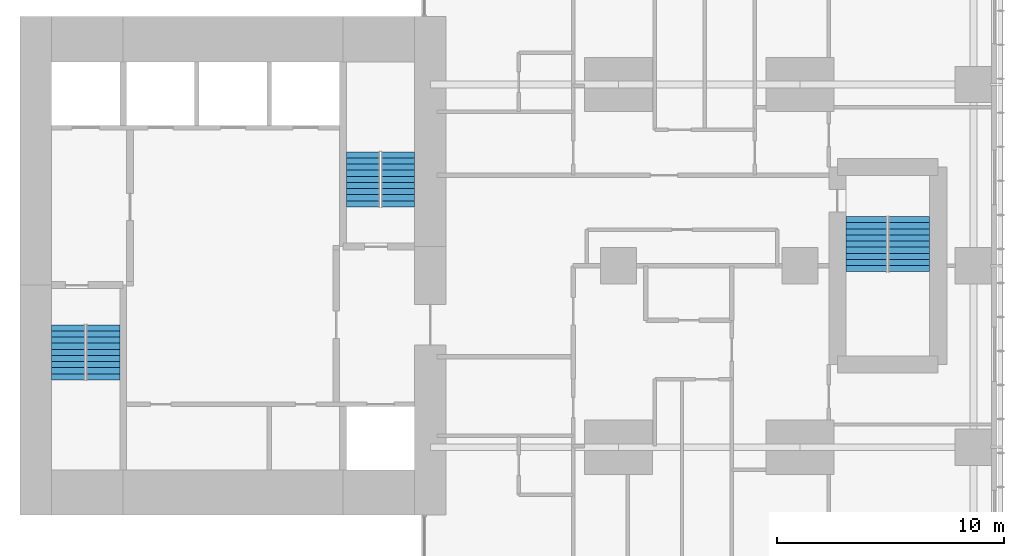
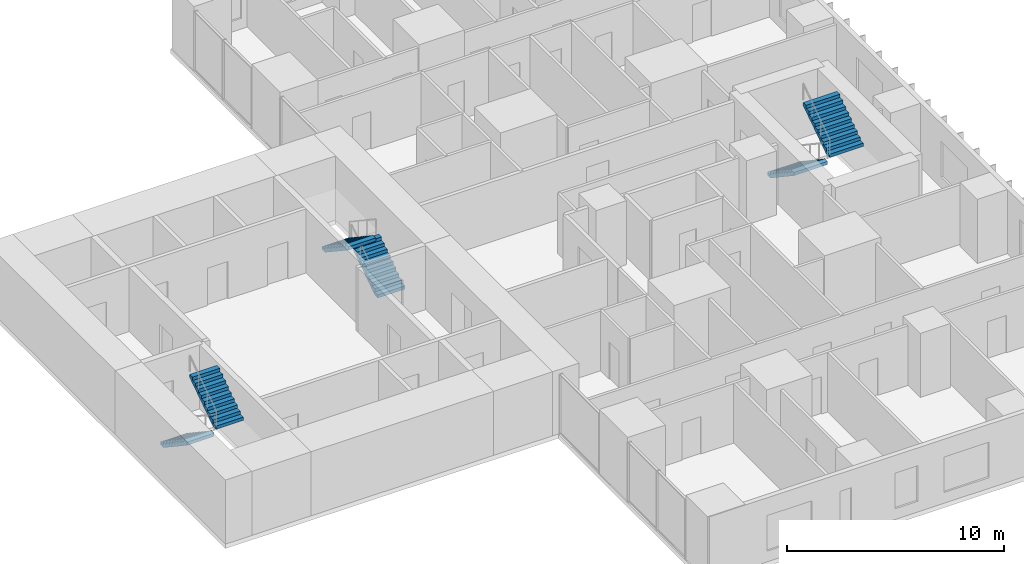
# One storey, part 11 of 12: 6 stair flights, 3 elements without a shape of their own.
"""IFC4 building model written with IfcOpenShell, lengths in metres."""

from ifc_helpers import new_model, si_unit, direction, frame, origin, place, context, subcontext, project, spatial, polyline, outline, extrude, material, type_object, element, aggregate, save


model = new_model("IFC4")

# Units and contexts
model_context = context("Model", 3, precision=1e-05, world=origin(), true_north=direction((0.0, 1.0)))
body_context = subcontext(model_context, "Body", "Model", "MODEL_VIEW")
ifc_project = project(units=[si_unit("LENGTHUNIT", "METRE"), si_unit("AREAUNIT", "SQUARE_METRE"), si_unit("VOLUMEUNIT", "CUBIC_METRE"), si_unit("PLANEANGLEUNIT", "RADIAN"), si_unit("MASSUNIT", "GRAM", prefix="KILO")], contexts=[model_context])

# Site, building, storey
site_placement = place(None, origin())
site = spatial("IfcSite", under=ifc_project, at=site_placement, CompositionType="ELEMENT")
building_placement = place(site_placement, origin())
building = spatial("IfcBuilding", under=site, at=building_placement, Name="Cleftline Residences", CompositionType="ELEMENT")
storey_placement = place(building_placement, frame((0.0, 0.0, 241.199951171875)))
storey = spatial("IfcBuildingStorey", under=building, at=storey_placement, Name="L63", CompositionType="ELEMENT", Elevation=241.199951171875)

# Stair, stair flights
ifc_material_1 = material(Name="Concrete B45, stone treads", Category="masonry")
stair_type_1 = type_object("IfcStairType", Name="STAIR A 1450 WIDE 180 RISER", PredefinedType="HALF_TURN_STAIR", material=ifc_material_1)
stair_1_placement = place(storey_placement, origin())
stair_1 = element("IfcStair", 1, at=stair_1_placement, inside=storey, type_object=stair_type_1, Name="Stair A L63", PredefinedType="HALF_TURN_STAIR")
ifc_material_2 = material(Name="Concrete B45", Category="concrete")
stair_flight_type_1 = type_object("IfcStairFlightType", Name="STAIR A FLIGHT 1450X180", PredefinedType="STRAIGHT", material=ifc_material_2)
stair_flight_1_placement = place(storey_placement, frame((25.72509765625, 21.39990234375, 0.0), z_axis=(0.0, 0.0, 1.0), x_axis=(0.0, -1.0, 0.0)))
stair_flight_1 = element("IfcStairFlight", 2, at=stair_flight_1_placement, type_object=stair_flight_type_1, Name="ST-A flight 1", NumberOfRisers=10, NumberOfTreads=9, PredefinedType="STRAIGHT", RiserHeight=0.18, TreadLength=0.27, context=body_context, shape_type="SweptSolid", body=[
    extrude(outline(polyline([(0.0, 0.0), (0.0, 0.013916015625), (0.0, 0.027587890625), (0.0, 0.04150390625), (0.0, 0.055419921875), (0.0, 0.0693359375), (0.0, 0.0830078125), (0.0, 0.096923828125), (0.0, 0.11083984375), (0.0, 0.12451171875), (0.0, 0.138427734375), (0.0, 0.15234375), (0.0, 0.166259765625), (0.0, 0.179931640625), (0.27001953125, 0.179931640625), (0.27001953125, 0.360107421875), (0.5400390625, 0.360107421875), (0.5400390625, 0.5400390625), (0.81005859375, 0.5400390625), (0.81005859375, 0.719970703125), (1.080078125, 0.719970703125), (1.080078125, 0.89990234375), (1.35009765625, 0.89990234375), (1.35009765625, 1.080078125), (1.6201171875, 1.080078125), (1.6201171875, 1.260009765625), (1.889892578125, 1.260009765625), (1.889892578125, 1.43994140625), (2.159912109375, 1.43994140625), (2.159912109375, 1.6201171875), (2.429931640625, 1.6201171875), (2.429931640625, 1.800048828125), (2.429931640625, 1.772216796875), (2.429931640625, 1.74462890625), (2.429931640625, 1.716796875), (2.429931640625, 1.689208984375), (2.429931640625, 1.661376953125), (2.429931640625, 1.6337890625), (2.429931640625, 1.60595703125), (2.429931640625, 1.578369140625), (2.429931640625, 1.550537109375), (2.429931640625, 1.52294921875), (2.429931640625, 1.495361328125), (2.429931640625, 1.467529296875), (2.429931640625, 1.43994140625), (0.270263671875, 0.0), (0.0, 0.0)])), frame((0.0, 0.72509765625, 0.0), z_axis=(0.0, -1.0, 0.0), x_axis=(1.0, 0.0, 0.0)), (0.0, 0.0, 1.0), 1.449951171875),
])
stair_flight_2_placement = place(storey_placement, frame((27.27490234375, 18.969970703125, 1.800048828125), z_axis=(0.0, 0.0, 1.0), x_axis=(0.0, 1.0, 0.0)))
stair_flight_2 = element("IfcStairFlight", 3, at=stair_flight_2_placement, type_object=stair_flight_type_1, Name="ST-A flight 2", NumberOfRisers=10, NumberOfTreads=9, PredefinedType="STRAIGHT", RiserHeight=0.18, TreadLength=0.27, context=body_context, shape_type="SweptSolid", body=[
    extrude(outline(polyline([(0.0, 0.0), (0.0, 0.013916015625), (0.0, 0.027587890625), (0.0, 0.04150390625), (0.0, 0.055419921875), (0.0, 0.0693359375), (0.0, 0.0830078125), (0.0, 0.096923828125), (0.0, 0.11083984375), (0.0, 0.12451171875), (0.0, 0.138427734375), (0.0, 0.15234375), (0.0, 0.166259765625), (0.0, 0.179931640625), (0.27001953125, 0.179931640625), (0.27001953125, 0.360107421875), (0.5400390625, 0.360107421875), (0.5400390625, 0.5400390625), (0.81005859375, 0.5400390625), (0.81005859375, 0.719970703125), (1.080078125, 0.719970703125), (1.080078125, 0.89990234375), (1.35009765625, 0.89990234375), (1.35009765625, 1.080078125), (1.6201171875, 1.080078125), (1.6201171875, 1.260009765625), (1.889892578125, 1.260009765625), (1.889892578125, 1.43994140625), (2.159912109375, 1.43994140625), (2.159912109375, 1.6201171875), (2.429931640625, 1.6201171875), (2.429931640625, 1.800048828125), (2.429931640625, 1.772216796875), (2.429931640625, 1.74462890625), (2.429931640625, 1.716796875), (2.429931640625, 1.689208984375), (2.429931640625, 1.661376953125), (2.429931640625, 1.6337890625), (2.429931640625, 1.60595703125), (2.429931640625, 1.578369140625), (2.429931640625, 1.550537109375), (2.429931640625, 1.52294921875), (2.429931640625, 1.495361328125), (2.429931640625, 1.467529296875), (2.429931640625, 1.43994140625), (0.270263671875, 0.0), (0.0, 0.0)])), frame((0.0, 0.72509765625, 0.0), z_axis=(0.0, -1.0, 0.0), x_axis=(1.0, 0.0, 0.0)), (0.0, 0.0, 1.0), 1.449951171875),
])
aggregate(stair_1, [stair_flight_1, stair_flight_2])

ifc_material_3 = material(Name="Concrete B45, stone treads", Category="masonry")
stair_type_2 = type_object("IfcStairType", Name="STAIR B 1450 WIDE 180 RISER", PredefinedType="HALF_TURN_STAIR", material=ifc_material_3)
stair_2_placement = place(storey_placement, origin())
stair_2 = element("IfcStair", 4, at=stair_2_placement, inside=storey, type_object=stair_type_2, Name="Stair B L63", PredefinedType="HALF_TURN_STAIR")
ifc_material_4 = material(Name="Concrete B45", Category="concrete")
stair_flight_type_2 = type_object("IfcStairFlightType", Name="STAIR B FLIGHT 1450X180", PredefinedType="STRAIGHT", material=ifc_material_4)
stair_flight_3_placement = place(storey_placement, frame((40.27490234375, 26.60009765625, 0.0), z_axis=(0.0, 0.0, 1.0), x_axis=(0.0, 1.0, 0.0)))
stair_flight_3 = element("IfcStairFlight", 5, at=stair_flight_3_placement, type_object=stair_flight_type_2, Name="ST-B flight 1", NumberOfRisers=10, NumberOfTreads=9, PredefinedType="STRAIGHT", RiserHeight=0.18, TreadLength=0.27, context=body_context, shape_type="SweptSolid", body=[
    extrude(outline(polyline([(0.0, 0.0), (0.0, 0.013916015625), (0.0, 0.027587890625), (0.0, 0.04150390625), (0.0, 0.055419921875), (0.0, 0.0693359375), (0.0, 0.0830078125), (0.0, 0.096923828125), (0.0, 0.11083984375), (0.0, 0.12451171875), (0.0, 0.138427734375), (0.0, 0.15234375), (0.0, 0.166259765625), (0.0, 0.179931640625), (0.27001953125, 0.179931640625), (0.27001953125, 0.360107421875), (0.5400390625, 0.360107421875), (0.5400390625, 0.5400390625), (0.81005859375, 0.5400390625), (0.81005859375, 0.719970703125), (1.080078125, 0.719970703125), (1.080078125, 0.89990234375), (1.35009765625, 0.89990234375), (1.35009765625, 1.080078125), (1.6201171875, 1.080078125), (1.6201171875, 1.260009765625), (1.889892578125, 1.260009765625), (1.889892578125, 1.43994140625), (2.159912109375, 1.43994140625), (2.159912109375, 1.6201171875), (2.429931640625, 1.6201171875), (2.429931640625, 1.800048828125), (2.429931640625, 1.772216796875), (2.429931640625, 1.74462890625), (2.429931640625, 1.716796875), (2.429931640625, 1.689208984375), (2.429931640625, 1.661376953125), (2.429931640625, 1.6337890625), (2.429931640625, 1.60595703125), (2.429931640625, 1.578369140625), (2.429931640625, 1.550537109375), (2.429931640625, 1.52294921875), (2.429931640625, 1.495361328125), (2.429931640625, 1.467529296875), (2.429931640625, 1.43994140625), (0.270263671875, 0.0), (0.0, 0.0)])), frame((0.0, 0.72509765625, 0.0), z_axis=(0.0, -1.0, 0.0), x_axis=(1.0, 0.0, 0.0)), (0.0, 0.0, 1.0), 1.449951171875),
])
stair_flight_4_placement = place(storey_placement, frame((38.72509765625, 29.030029296875, 1.800048828125), z_axis=(0.0, 0.0, 1.0), x_axis=(0.0, -1.0, 0.0)))
stair_flight_4 = element("IfcStairFlight", 6, at=stair_flight_4_placement, type_object=stair_flight_type_2, Name="ST-B flight 2", NumberOfRisers=10, NumberOfTreads=9, PredefinedType="STRAIGHT", RiserHeight=0.18, TreadLength=0.27, context=body_context, shape_type="SweptSolid", body=[
    extrude(outline(polyline([(0.0, 0.0), (0.0, 0.013916015625), (0.0, 0.027587890625), (0.0, 0.04150390625), (0.0, 0.055419921875), (0.0, 0.0693359375), (0.0, 0.0830078125), (0.0, 0.096923828125), (0.0, 0.11083984375), (0.0, 0.12451171875), (0.0, 0.138427734375), (0.0, 0.15234375), (0.0, 0.166259765625), (0.0, 0.179931640625), (0.27001953125, 0.179931640625), (0.27001953125, 0.360107421875), (0.5400390625, 0.360107421875), (0.5400390625, 0.5400390625), (0.81005859375, 0.5400390625), (0.81005859375, 0.719970703125), (1.080078125, 0.719970703125), (1.080078125, 0.89990234375), (1.35009765625, 0.89990234375), (1.35009765625, 1.080078125), (1.6201171875, 1.080078125), (1.6201171875, 1.260009765625), (1.889892578125, 1.260009765625), (1.889892578125, 1.43994140625), (2.159912109375, 1.43994140625), (2.159912109375, 1.6201171875), (2.429931640625, 1.6201171875), (2.429931640625, 1.800048828125), (2.429931640625, 1.772216796875), (2.429931640625, 1.74462890625), (2.429931640625, 1.716796875), (2.429931640625, 1.689208984375), (2.429931640625, 1.661376953125), (2.429931640625, 1.6337890625), (2.429931640625, 1.60595703125), (2.429931640625, 1.578369140625), (2.429931640625, 1.550537109375), (2.429931640625, 1.52294921875), (2.429931640625, 1.495361328125), (2.429931640625, 1.467529296875), (2.429931640625, 1.43994140625), (0.270263671875, 0.0), (0.0, 0.0)])), frame((0.0, 0.72509765625, 0.0), z_axis=(0.0, -1.0, 0.0), x_axis=(1.0, 0.0, 0.0)), (0.0, 0.0, 1.0), 1.449951171875),
])
aggregate(stair_2, [stair_flight_3, stair_flight_4])

ifc_material_5 = material(Name="Concrete B45, stone treads", Category="masonry")
stair_type_3 = type_object("IfcStairType", Name="STAIR E 1800 WIDE 180 RISER", PredefinedType="HALF_TURN_STAIR", material=ifc_material_5)
stair_3_placement = place(storey_placement, origin())
stair_3 = element("IfcStair", 7, at=stair_3_placement, inside=storey, type_object=stair_type_3, Name="Stair E L63", PredefinedType="HALF_TURN_STAIR")
ifc_material_6 = material(Name="Concrete B45", Category="concrete")
stair_flight_type_3 = type_object("IfcStairFlightType", Name="STAIR E FLIGHT 1800X180", PredefinedType="STRAIGHT", material=ifc_material_6)
stair_flight_5_placement = place(storey_placement, frame((60.925048828125, 26.175048828125, 0.0), z_axis=(0.0, 0.0, 1.0), x_axis=(0.0, -1.0, 0.0)))
stair_flight_5 = element("IfcStairFlight", 8, at=stair_flight_5_placement, type_object=stair_flight_type_3, Name="ST-E flight 1", NumberOfRisers=10, NumberOfTreads=9, PredefinedType="STRAIGHT", RiserHeight=0.18, TreadLength=0.27, context=body_context, shape_type="SweptSolid", body=[
    extrude(outline(polyline([(0.0, 0.0), (0.0, 0.013916015625), (0.0, 0.027587890625), (0.0, 0.04150390625), (0.0, 0.055419921875), (0.0, 0.0693359375), (0.0, 0.0830078125), (0.0, 0.096923828125), (0.0, 0.11083984375), (0.0, 0.12451171875), (0.0, 0.138427734375), (0.0, 0.15234375), (0.0, 0.166259765625), (0.0, 0.179931640625), (0.27001953125, 0.179931640625), (0.27001953125, 0.360107421875), (0.5400390625, 0.360107421875), (0.5400390625, 0.5400390625), (0.81005859375, 0.5400390625), (0.81005859375, 0.719970703125), (1.080078125, 0.719970703125), (1.080078125, 0.89990234375), (1.35009765625, 0.89990234375), (1.35009765625, 1.080078125), (1.6201171875, 1.080078125), (1.6201171875, 1.260009765625), (1.889892578125, 1.260009765625), (1.889892578125, 1.43994140625), (2.159912109375, 1.43994140625), (2.159912109375, 1.6201171875), (2.429931640625, 1.6201171875), (2.429931640625, 1.800048828125), (2.429931640625, 1.772216796875), (2.429931640625, 1.74462890625), (2.429931640625, 1.716796875), (2.429931640625, 1.689208984375), (2.429931640625, 1.661376953125), (2.429931640625, 1.6337890625), (2.429931640625, 1.60595703125), (2.429931640625, 1.578369140625), (2.429931640625, 1.550537109375), (2.429931640625, 1.52294921875), (2.429931640625, 1.495361328125), (2.429931640625, 1.467529296875), (2.429931640625, 1.43994140625), (0.270263671875, 0.0), (0.0, 0.0)])), frame((0.0, 0.89990234375, 0.0), z_axis=(0.0, -1.0, 0.0), x_axis=(1.0, 0.0, 0.0)), (0.0, 0.0, 1.0), 1.800048828125),
])
stair_flight_6_placement = place(storey_placement, frame((62.824951171875, 23.7451171875, 1.800048828125), z_axis=(0.0, 0.0, 1.0), x_axis=(0.0, 1.0, 0.0)))
stair_flight_6 = element("IfcStairFlight", 9, at=stair_flight_6_placement, type_object=stair_flight_type_3, Name="ST-E flight 2", NumberOfRisers=10, NumberOfTreads=9, PredefinedType="STRAIGHT", RiserHeight=0.18, TreadLength=0.27, context=body_context, shape_type="SweptSolid", body=[
    extrude(outline(polyline([(0.0, 0.0), (0.0, 0.013916015625), (0.0, 0.027587890625), (0.0, 0.04150390625), (0.0, 0.055419921875), (0.0, 0.0693359375), (0.0, 0.0830078125), (0.0, 0.096923828125), (0.0, 0.11083984375), (0.0, 0.12451171875), (0.0, 0.138427734375), (0.0, 0.15234375), (0.0, 0.166259765625), (0.0, 0.179931640625), (0.27001953125, 0.179931640625), (0.27001953125, 0.360107421875), (0.5400390625, 0.360107421875), (0.5400390625, 0.5400390625), (0.81005859375, 0.5400390625), (0.81005859375, 0.719970703125), (1.080078125, 0.719970703125), (1.080078125, 0.89990234375), (1.35009765625, 0.89990234375), (1.35009765625, 1.080078125), (1.6201171875, 1.080078125), (1.6201171875, 1.260009765625), (1.889892578125, 1.260009765625), (1.889892578125, 1.43994140625), (2.159912109375, 1.43994140625), (2.159912109375, 1.6201171875), (2.429931640625, 1.6201171875), (2.429931640625, 1.800048828125), (2.429931640625, 1.772216796875), (2.429931640625, 1.74462890625), (2.429931640625, 1.716796875), (2.429931640625, 1.689208984375), (2.429931640625, 1.661376953125), (2.429931640625, 1.6337890625), (2.429931640625, 1.60595703125), (2.429931640625, 1.578369140625), (2.429931640625, 1.550537109375), (2.429931640625, 1.52294921875), (2.429931640625, 1.495361328125), (2.429931640625, 1.467529296875), (2.429931640625, 1.43994140625), (0.270263671875, 0.0), (0.0, 0.0)])), frame((0.0, 0.89990234375, 0.0), z_axis=(0.0, -1.0, 0.0), x_axis=(1.0, 0.0, 0.0)), (0.0, 0.0, 1.0), 1.800048828125),
])
aggregate(stair_3, [stair_flight_5, stair_flight_6])

save(model, "model.ifc")
